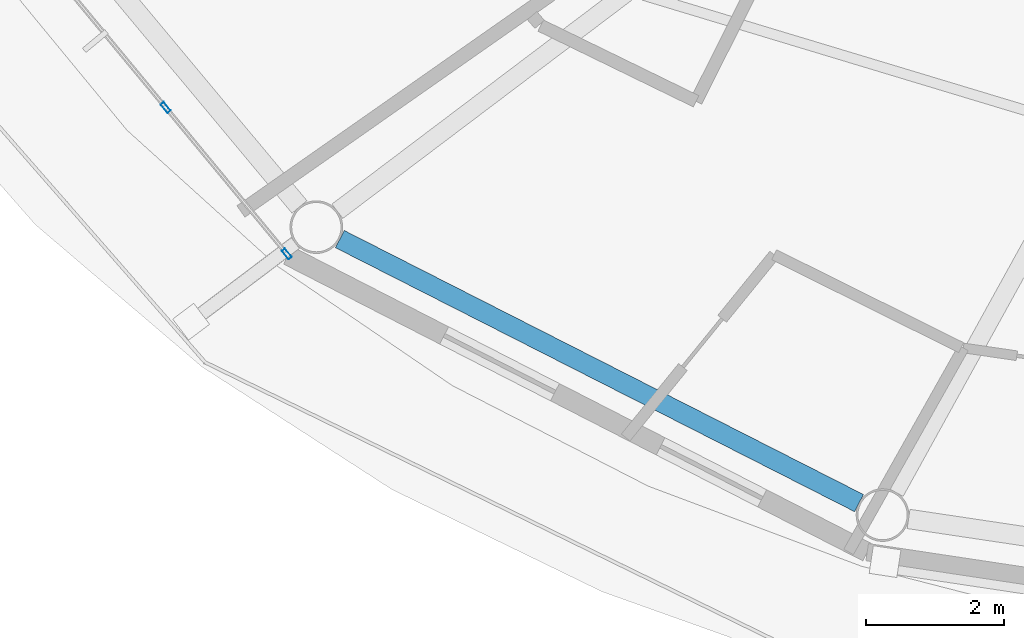
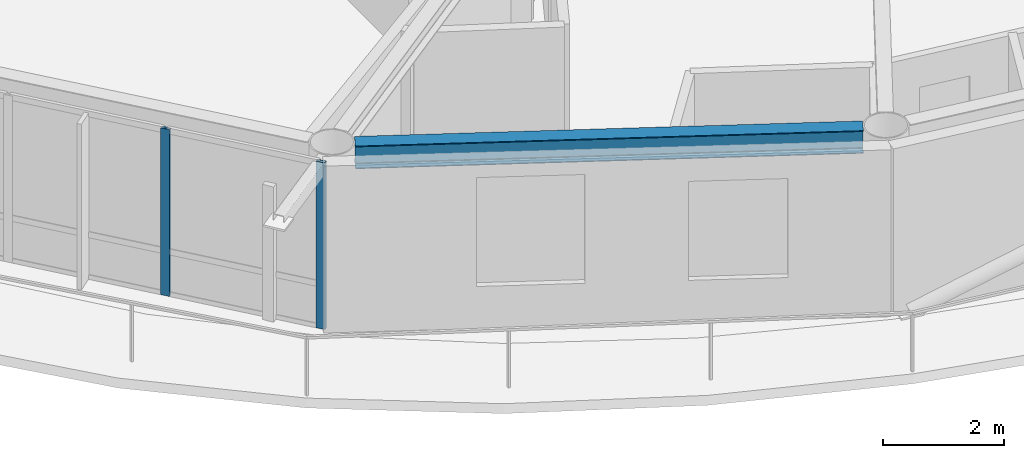
# One storey, part 2 of 23: 2 members, 1 beam, 1 element without a shape of its own.
"""IFC4 building model written with IfcOpenShell, lengths in metres."""

from ifc_helpers import new_model, si_unit, direction, frame, origin, origin_2d, place, context, subcontext, project, spatial, hollow_rectangle, i_section, extrude, material, layer, layer_set, material_profile, profile_set, type_object, element, aggregate, save


model = new_model("IFC4")

# Units and contexts
model_context = context("Model", 3, precision=1e-05, world=origin(), true_north=direction((0.0, 1.0)))
body_context = subcontext(model_context, "Body", "Model", "MODEL_VIEW")
ifc_project = project(units=[si_unit("LENGTHUNIT", "METRE"), si_unit("AREAUNIT", "SQUARE_METRE"), si_unit("VOLUMEUNIT", "CUBIC_METRE"), si_unit("PLANEANGLEUNIT", "RADIAN"), si_unit("MASSUNIT", "GRAM", prefix="KILO")], contexts=[model_context])

# Site, building, storey
site_placement = place(None, origin())
site = spatial("IfcSite", under=ifc_project, at=site_placement, CompositionType="ELEMENT")
building_placement = place(site_placement, origin())
building = spatial("IfcBuilding", under=site, at=building_placement, Name="Sarneth Arch Tower", CompositionType="ELEMENT")
storey_placement = place(building_placement, frame((0.0, 0.0, 273.0)))
storey = spatial("IfcBuildingStorey", under=building, at=storey_placement, Name="L70", CompositionType="ELEMENT", Elevation=273.0)

# Beam
ifc_material_1 = material(Name="Steel S355", Category="steel")
ifc_material_profile_1 = material_profile(ifc_material_1, i_section(OverallWidth=0.280029296875, OverallDepth=0.462890625, WebThickness=0.0107421875, FlangeThickness=0.017333984375, FilletRadius=0.01806640625, at=origin_2d()), Name="W460x113")
ifc_profile_set_1 = profile_set([ifc_material_profile_1], Name="Steel S355")
beam_type = type_object("IfcBeamType", Name="BM-RAD-460A", PredefinedType="BEAM", material=ifc_profile_set_1)
beam_placement = place(storey_placement, frame((30.364501953125, 28.250732421875, 3.138427734375), z_axis=(0.891373613492, -0.453269325204, 0.0), x_axis=(0.453269325204, 0.891373613492, 0.0)))
element("IfcBeam", 1, at=beam_placement, inside=storey, type_object=beam_type, Name="L70 Perimeter spandrel beam 11", PredefinedType="BEAM", context=body_context, shape_type="SweptSolid", body=[
    extrude(i_section(OverallWidth=0.280029296875, OverallDepth=0.462890625, WebThickness=0.0107421875, FlangeThickness=0.017333984375, FilletRadius=0.01806640625, at=origin_2d()), origin(), (0.0, 0.0, 1.0), 8.419677734375),
])

# Curtain wall, members
ifc_material_2 = material(Name="Anodised aluminium Type AA25 and solar-control low-e laminated IGU", Category="aluminium")
ifc_layer = layer(ifc_material_2, 0.179931640625)
ifc_layer_set = layer_set([ifc_layer], Name="Anodised aluminium Type AA25 and solar-control low-e laminated IGU")
curtain_wall_type = type_object("IfcCurtainWallType", Name="CW-RES-HIGH", PredefinedType="NOTDEFINED", material=ifc_layer_set)
curtain_wall_placement = place(storey_placement, origin())
curtain_wall = element("IfcCurtainWall", 2, at=curtain_wall_placement, inside=storey, type_object=curtain_wall_type, Name="L70 Unitised curtain wall facet 10", PredefinedType="NOTDEFINED")
ifc_material_3 = material(Name="Anodised Aluminium 6063-T6", Category="aluminium")
ifc_material_profile_2 = material_profile(ifc_material_3, hollow_rectangle(XDim=0.06005859375, YDim=0.159912109375, WallThickness=0.00390625, at=origin_2d()), Name="AL-MULL-160x60x4")
ifc_profile_set_2 = profile_set([ifc_material_profile_2], Name="Anodised Aluminium 6063-T6")
member_type = type_object("IfcMemberType", Name="CW-MULLION", PredefinedType="MULLION", material=ifc_profile_set_2)
member_1_placement = place(storey_placement, frame((27.84716796875, 30.15234375, 0.0), z_axis=(0.0, 0.0, 1.0), x_axis=(0.770359245933, 0.637610094184, 0.0)))
member_1 = element("IfcMember", 3, at=member_1_placement, type_object=member_type, Name="CW-SYS-6 mullion 3", PredefinedType="MULLION", context=body_context, shape_type="SweptSolid", body=[
    extrude(hollow_rectangle(XDim=0.06005859375, YDim=0.159912109375, WallThickness=0.00390625, at=origin_2d()), origin(), (0.0, 0.0, 1.0), 3.3701171875),
])
member_2_placement = place(storey_placement, frame((29.598388671875, 28.03662109375, 0.0), z_axis=(0.0, 0.0, 1.0), x_axis=(0.770359245933, 0.637610094184, 0.0)))
member_2 = element("IfcMember", 4, at=member_2_placement, type_object=member_type, Name="CW-SYS-6 mullion 4", PredefinedType="MULLION", context=body_context, shape_type="SweptSolid", body=[
    extrude(hollow_rectangle(XDim=0.06005859375, YDim=0.159912109375, WallThickness=0.00390625, at=origin_2d()), origin(), (0.0, 0.0, 1.0), 3.3701171875),
])
aggregate(curtain_wall, [member_1, member_2])

save(model, "model.ifc")
